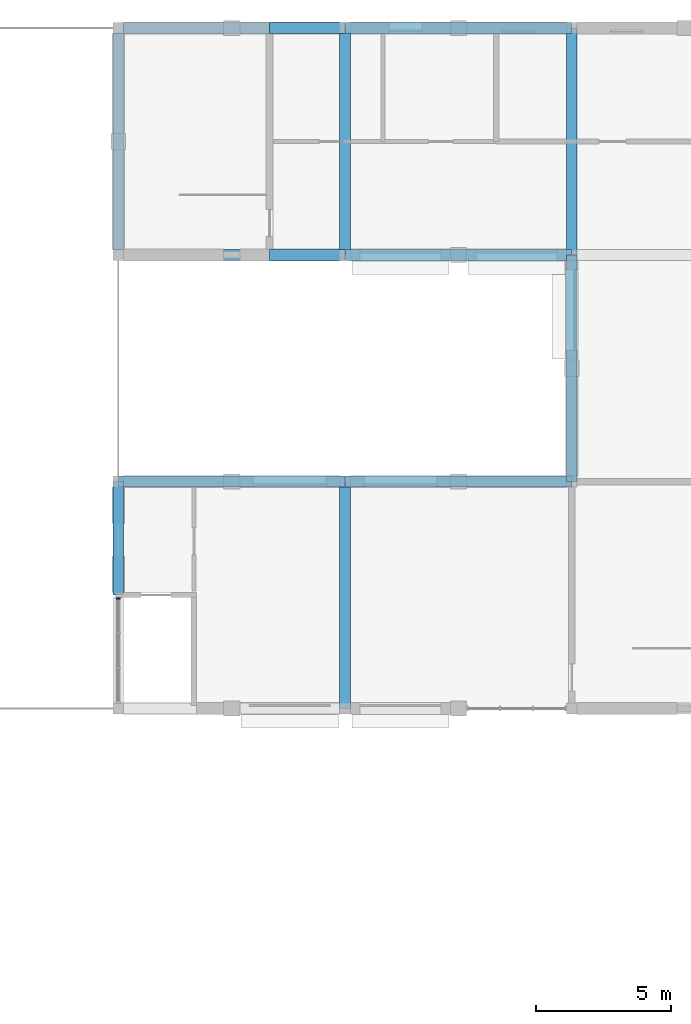
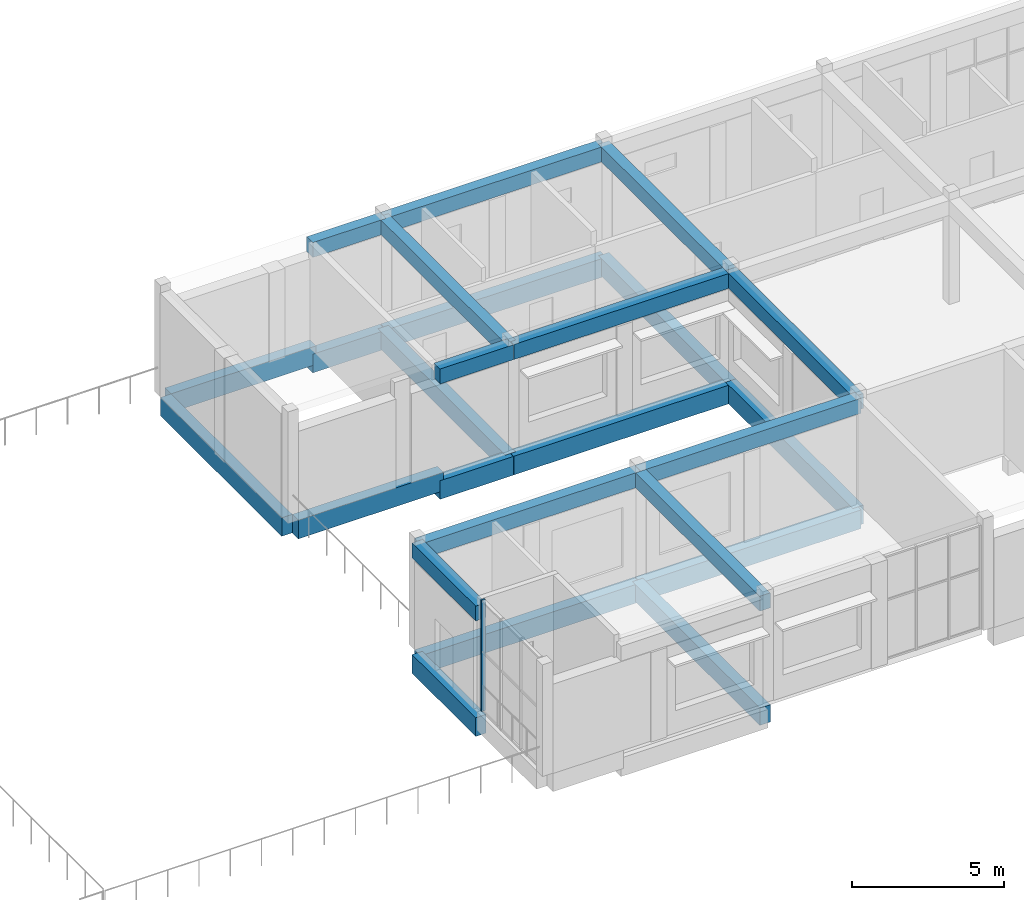
# One storey, part 13 of 30: 25 beams, 1 member, 1 element without a shape of its own.
"""IFC4 building model written with IfcOpenShell, lengths in metres."""

import ifcopenshell
import ifcopenshell.guid

model = None  # the IFC model being written
_history = None  # IfcOwnerHistory: only IFC2X3 demands one
_inside = {}  # id of a spatial element -> (the spatial element, [elements in it])
_under = {}  # id of a project, library or spatial element -> (it, [spatial elements below it])
_declared = {}  # id of a project -> (the project, [libraries it declares])
_typed = {}  # id of a type object -> (the type object, [elements of that type])
_made_of = {}  # id of a material, layer set ... -> (it, [elements and type objects made of it])


def new_model(schema):
    """Start an empty IFC model of exactly this schema.

    Asked for "IFC4X3", IfcOpenShell would pick the latest addendum, in which some entities
    have other attributes; the version numbers below select the first issue.
    IFC2X3 requires an IfcOwnerHistory on every rooted entity: one is made here for all.
    """
    global model, _history
    if schema == "IFC4X3":
        model = ifcopenshell.file(schema_version=(4, 3, 0, 0))
    else:
        model = ifcopenshell.file(schema=schema)
    _inside.clear()
    _under.clear()
    _declared.clear()
    _typed.clear()
    _made_of.clear()
    _history = None
    if model.schema == "IFC2X3":
        org = make("IfcOrganization", Name="unknown")
        user = make(
            "IfcPersonAndOrganization",
            ThePerson=make("IfcPerson", FamilyName="unknown"),
            TheOrganization=org,
        )
        app = make(
            "IfcApplication",
            ApplicationDeveloper=org,
            Version="unknown",
            ApplicationFullName="unknown",
            ApplicationIdentifier="unknown",
        )
        _history = make(
            "IfcOwnerHistory",
            OwningUser=user,
            OwningApplication=app,
            ChangeAction="ADDED",
            CreationDate=0,
        )
    return model


def make(cls, **values):
    """One entity of the class cls with the attributes given. An attribute that is None is left unset."""
    return model.create_entity(
        cls, **{name: value for name, value in values.items() if value is not None}
    )


def rooted(cls, **values):
    """An entity with a GlobalId (a new one), such as an element, a storey or a relation."""
    return make(cls, GlobalId=ifcopenshell.guid.new(), OwnerHistory=_history, **values)


def si_unit(unit_type, name, prefix=None):
    """IfcSIUnit, for example si_unit("LENGTHUNIT", "METRE", prefix="MILLI")."""
    return make("IfcSIUnit", UnitType=unit_type, Prefix=prefix, Name=name)


def assignment(units):
    """IfcUnitAssignment: the units of a project."""
    return None if units is None else make("IfcUnitAssignment", Units=units)


def point(xyz):
    """IfcCartesianPoint."""
    return None if xyz is None else make("IfcCartesianPoint", Coordinates=xyz)


def direction(xyz):
    """IfcDirection."""
    return None if xyz is None else make("IfcDirection", DirectionRatios=xyz)


def frame(location, z_axis=None, x_axis=None):
    """IfcAxis2Placement3D, a coordinate frame: its origin and axes. An axis left out is left unset."""
    return make(
        "IfcAxis2Placement3D",
        Location=point(location),
        Axis=direction(z_axis),
        RefDirection=direction(x_axis),
    )


def frame_2d(location, x_axis=None):
    """IfcAxis2Placement2D, a coordinate frame in the plane: its origin and x axis."""
    return make(
        "IfcAxis2Placement2D", Location=point(location), RefDirection=direction(x_axis)
    )


def origin():
    """The frame at (0, 0, 0) with its axes left unset."""
    return frame((0.0, 0.0, 0.0))


def origin_2d():
    """The frame at (0, 0) in the plane with its x axis left unset."""
    return frame_2d((0.0, 0.0))


def place(relative_to, where):
    """IfcLocalPlacement: puts the frame where relative to a parent placement (None: the world)."""
    return make(
        "IfcLocalPlacement", PlacementRelTo=relative_to, RelativePlacement=where
    )


def context(
    kind, dimensions, precision=None, world=None, true_north=None, identifier=None
):
    """IfcGeometricRepresentationContext, for example the 3D "Model" context."""
    return make(
        "IfcGeometricRepresentationContext",
        ContextIdentifier=identifier,
        ContextType=kind,
        CoordinateSpaceDimension=dimensions,
        Precision=precision,
        WorldCoordinateSystem=world,
        TrueNorth=true_north,
    )


def subcontext(parent, identifier, kind, view, scale=None):
    """IfcGeometricRepresentationSubContext, for example "Body" below "Model"."""
    return make(
        "IfcGeometricRepresentationSubContext",
        ContextIdentifier=identifier,
        ContextType=kind,
        ParentContext=parent,
        TargetScale=scale,
        TargetView=view,
    )


def project(units=None, contexts=None):
    """IfcProject with its units and contexts."""
    return rooted(
        "IfcProject",
        Name="project",
        RepresentationContexts=contexts,
        UnitsInContext=assignment(units),
    )


def spatial(cls, under=None, at=None, **own):
    """A site, building, storey or space (cls), placed at a placement, below another one or the project."""
    s = rooted(cls, ObjectPlacement=at, **own)
    if under is not None:
        _under.setdefault(under.id(), (under, []))[1].append(s)
    return s


def profile(cls, at=None, kind="AREA", **sizes):
    """A parametric profile (cls). Its sizes go by their IFC names, for example OverallWidth=200.0."""
    return make(cls, ProfileType=kind, Position=at, **sizes)


def rectangle(**sizes):
    """IfcRectangleProfileDef."""
    return profile("IfcRectangleProfileDef", **sizes)


def extrude(swept, where, along, depth):
    """IfcExtrudedAreaSolid: the profile swept, set in the frame where, extruded along a direction by depth."""
    return make(
        "IfcExtrudedAreaSolid",
        SweptArea=swept,
        Position=where,
        ExtrudedDirection=direction(along),
        Depth=depth,
    )


def shape(context_of_items, identifier, shape_type, items):
    """IfcShapeRepresentation: the items that make up one representation, for example the "Body"."""
    return make(
        "IfcShapeRepresentation",
        ContextOfItems=context_of_items,
        RepresentationIdentifier=identifier,
        RepresentationType=shape_type,
        Items=items,
    )


def material(Name=None, Category=None):
    """IfcMaterial."""
    return make("IfcMaterial", Name=Name, Category=Category)


def material_profile(
    of_material, cross_section, Name=None, Category=None, Priority=None
):
    """IfcMaterialProfile: a cross section and its material."""
    return make(
        "IfcMaterialProfile",
        Name=Name,
        Material=of_material,
        Profile=cross_section,
        Priority=Priority,
        Category=Category,
    )


def profile_set(profiles, Name=None, composite=None):
    """IfcMaterialProfileSet."""
    return make(
        "IfcMaterialProfileSet",
        Name=Name,
        MaterialProfiles=profiles,
        CompositeProfile=composite,
    )


def made_of(thing, what):
    """Note that an element or type object is made of a material, layer set ...; save() writes the relation."""
    if what is not None:
        _made_of.setdefault(what.id(), (what, []))[1].append(thing)
    return thing


def type_object(cls, material=None, **own):
    """A type object (cls), such as IfcWallType, which elements share."""
    return made_of(rooted(cls, **own), material)


def element(
    cls,
    number,
    at=None,
    inside=None,
    cuts=None,
    type_object=None,
    material=None,
    context=None,
    identifier="Body",
    shape_type=None,
    held_by="IfcProductDefinitionShape",
    body=None,
    shapes=None,
    **own,
):
    """One element of the class cls, such as IfcWall. Its Tag is "e" and its number.

    at: its placement. inside: the storey or other place that contains it. cuts: it is an
    opening in that element (IfcRelVoidsElement). A single representation is given by context,
    identifier, shape_type and body (its items); several are given by shapes. held_by: the class
    of the entity that holds the representations. save() writes the other relations.
    """
    e = rooted(cls, Tag="e%d" % number, ObjectPlacement=at, **own)
    if body is not None:
        shapes = [shape(context, identifier, shape_type, body)]
    if shapes is not None:
        e.Representation = make(held_by, Representations=shapes)
    if inside is not None:
        _inside.setdefault(inside.id(), (inside, []))[1].append(e)
    if cuts is not None:
        rooted(
            "IfcRelVoidsElement", RelatingBuildingElement=cuts, RelatedOpeningElement=e
        )
    if type_object is not None:
        _typed.setdefault(type_object.id(), (type_object, []))[1].append(e)
    return made_of(e, material)


def aggregate(whole, parts):
    """IfcRelAggregates: a whole, such as a stair, and the parts it consists of."""
    return rooted("IfcRelAggregates", RelatingObject=whole, RelatedObjects=parts)


def save(model, path):
    """Write the relations noted so far, then the file.

    IfcRelAggregates (storeys below a building ...), IfcRelContainedInSpatialStructure (elements
    in a storey), IfcRelDefinesByType, IfcRelAssociatesMaterial and IfcRelDeclares: one each for
    every whole, place, type object, material and project.
    """
    for whole, parts in _under.values():
        aggregate(whole, parts)
    for where, things in _inside.values():
        rooted(
            "IfcRelContainedInSpatialStructure",
            RelatedElements=things,
            RelatingStructure=where,
        )
    for kind, things in _typed.values():
        rooted("IfcRelDefinesByType", RelatedObjects=things, RelatingType=kind)
    for what, things in _made_of.values():
        rooted("IfcRelAssociatesMaterial", RelatedObjects=things, RelatingMaterial=what)
    for by, libraries in _declared.values():
        rooted("IfcRelDeclares", RelatingContext=by, RelatedDefinitions=libraries)
    model.write(path)


model = new_model("IFC4")

# Units and contexts
model_context = context("Model", 3, precision=1e-05, world=origin(), true_north=direction((0.0, 1.0)))
body_context = subcontext(model_context, "Body", "Model", "MODEL_VIEW")
ifc_project = project(units=[si_unit("LENGTHUNIT", "METRE"), si_unit("AREAUNIT", "SQUARE_METRE"), si_unit("VOLUMEUNIT", "CUBIC_METRE"), si_unit("PLANEANGLEUNIT", "RADIAN"), si_unit("MASSUNIT", "GRAM", prefix="KILO")], contexts=[model_context])

# Site, building, storey
site_placement = place(None, origin())
site = spatial("IfcSite", under=ifc_project, at=site_placement, CompositionType="ELEMENT")
building_placement = place(site_placement, origin())
building = spatial("IfcBuilding", under=site, at=building_placement, Name="Fescue Hill Polytechnic", CompositionType="ELEMENT")
storey_placement = place(building_placement, frame((0.0, 0.0, 22.5)))
storey = spatial("IfcBuildingStorey", under=building, at=storey_placement, Name="L05", CompositionType="ELEMENT", Elevation=22.5)

# Beams
ifc_material_1 = material(Name="Concrete 35 MPa", Category="concrete")
ifc_material_profile_1 = material_profile(ifc_material_1, rectangle(XDim=0.39990234375, YDim=0.60009765625, at=origin_2d()), Name="RC 400x600")
ifc_profile_set_1 = profile_set([ifc_material_profile_1], Name="Concrete 35 MPa")
beam_type_1 = type_object("IfcBeamType", Name="Beam RC 400x600", PredefinedType="BEAM", material=ifc_profile_set_1)
beam_1_placement = place(storey_placement, frame((75.60009765625, 113.39990234375, 3.89990234375), z_axis=(0.0, 1.0, 0.0), x_axis=(-1.0, 0.0, 0.0)))
element("IfcBeam", 1, at=beam_1_placement, inside=storey, type_object=beam_type_1, Name="BR-L05-0001", PredefinedType="BEAM", context=body_context, shape_type="SweptSolid", body=[
    extrude(rectangle(XDim=0.39990234375, YDim=0.60009765625, at=origin_2d()), origin(), (0.0, 0.0, 1.0), 4.2001953125),
])
beam_2_placement = place(storey_placement, frame((75.610107421875, 117.60009765625, 3.89990234375), z_axis=(1.0, 0.0, 0.0), x_axis=(0.0, 1.0, 0.0)))
element("IfcBeam", 2, at=beam_2_placement, inside=storey, type_object=beam_type_1, Name="BR-L05-0002", PredefinedType="BEAM", context=body_context, shape_type="SweptSolid", body=[
    extrude(rectangle(XDim=0.39990234375, YDim=0.60009765625, at=origin_2d()), origin(), (0.0, 0.0, 1.0), 8.3798828125),
])
for number, where, z_axis, x_axis, name in (
    (3, (81.199951171875, 126.0, 3.89990234375), (1.0, 0.0, 0.0), (0.0, 1.0, 0.0), "BR-L05-0004"),
    (4, (81.199951171875, 134.39990234375, 3.89990234375), (1.0, 0.0, 0.0), (0.0, 1.0, 0.0), "BR-L05-0005"),
):
    element("IfcBeam", number, at=place(storey_placement, frame(where, z_axis=z_axis, x_axis=x_axis)), inside=storey, type_object=beam_type_1, Name=name, PredefinedType="BEAM", context=body_context, shape_type="SweptSolid", body=[
        extrude(rectangle(XDim=0.39990234375, YDim=0.60009765625, at=origin_2d()), origin(), (0.0, 0.0, 1.0), 2.7900390625),
    ])
beam_3_placement = place(storey_placement, frame((84.0, 109.199951171875, 3.89990234375), z_axis=(0.0, 1.0, 0.0), x_axis=(-1.0, 0.0, 0.0)))
element("IfcBeam", 5, at=beam_3_placement, inside=storey, type_object=beam_type_1, Name="BR-L05-0006", PredefinedType="BEAM", context=body_context, shape_type="SweptSolid", body=[
    extrude(rectangle(XDim=0.39990234375, YDim=0.60009765625, at=origin_2d()), origin(), (0.0, 0.0, 1.0), 8.400146484375),
])
beam_4_placement = place(storey_placement, frame((84.0, 126.0, 3.89990234375), z_axis=(0.0, 1.0, 0.0), x_axis=(-1.0, 0.0, 0.0)))
element("IfcBeam", 6, at=beam_4_placement, inside=storey, type_object=beam_type_1, Name="BR-L05-0007", PredefinedType="BEAM", context=body_context, shape_type="SweptSolid", body=[
    extrude(rectangle(XDim=0.39990234375, YDim=0.60009765625, at=origin_2d()), origin(), (0.0, 0.0, 1.0), 8.39990234375),
])
beam_5_placement = place(storey_placement, frame((84.010009765625, 117.60009765625, 3.89990234375), z_axis=(1.0, 0.0, 0.0), x_axis=(0.0, 1.0, 0.0)))
element("IfcBeam", 7, at=beam_5_placement, inside=storey, type_object=beam_type_1, Name="BR-L05-0008", PredefinedType="BEAM", context=body_context, shape_type="SweptSolid", body=[
    extrude(rectangle(XDim=0.39990234375, YDim=0.60009765625, at=origin_2d()), origin(), (0.0, 0.0, 1.0), 8.389892578125),
])
for number, where, z_axis, x_axis, name in (
    (8, (84.010009765625, 126.0, 3.89990234375), (1.0, 0.0, 0.0), (0.0, 1.0, 0.0), "BR-L05-0009"),
    (9, (84.010009765625, 134.39990234375, 3.89990234375), (1.0, 0.0, 0.0), (0.0, 1.0, 0.0), "BR-L05-0010"),
):
    element("IfcBeam", number, at=place(storey_placement, frame(where, z_axis=z_axis, x_axis=x_axis)), inside=storey, type_object=beam_type_1, Name=name, PredefinedType="BEAM", context=body_context, shape_type="SweptSolid", body=[
        extrude(rectangle(XDim=0.39990234375, YDim=0.60009765625, at=origin_2d()), origin(), (0.0, 0.0, 1.0), 8.3798828125),
    ])
for number, where, z_axis, x_axis, name in (
    (10, (92.39990234375, 117.60009765625, 3.89990234375), (0.0, 1.0, 0.0), (-1.0, 0.0, 0.0), "BR-L05-0011"),
    (11, (92.39990234375, 126.0, 3.89990234375), (0.0, 1.0, 0.0), (-1.0, 0.0, 0.0), "BR-L05-0012"),
):
    element("IfcBeam", number, at=place(storey_placement, frame(where, z_axis=z_axis, x_axis=x_axis)), inside=storey, type_object=beam_type_1, Name=name, PredefinedType="BEAM", context=body_context, shape_type="SweptSolid", body=[
        extrude(rectangle(XDim=0.39990234375, YDim=0.60009765625, at=origin_2d()), origin(), (0.0, 0.0, 1.0), 8.39990234375),
    ])
ifc_material_profile_2 = material_profile(ifc_material_1, rectangle(XDim=0.39990234375, YDim=0.699951171875, at=origin_2d()), Name="RC 400x700")
ifc_profile_set_2 = profile_set([ifc_material_profile_2], Name="Concrete 35 MPa")
beam_type_2 = type_object("IfcBeamType", Name="Beam RC 400x700", PredefinedType="BEAM", material=ifc_profile_set_2)
beam_6_placement = place(storey_placement, frame((84.0, 109.199951171875, -0.64990234375), z_axis=(0.0, 1.0, 0.0), x_axis=(-1.0, 0.0, 0.0)))
element("IfcBeam", 12, at=beam_6_placement, inside=storey, type_object=beam_type_2, Name="BM-L05-0082", PredefinedType="BEAM", context=body_context, shape_type="SweptSolid", body=[
    extrude(rectangle(XDim=0.39990234375, YDim=0.699951171875, at=origin_2d()), origin(), (0.0, 0.0, 1.0), 8.400146484375),
])
for number, where, z_axis, x_axis, name in (
    (13, (84.0, 126.0, -0.64990234375), (0.0, 1.0, 0.0), (-1.0, 0.0, 0.0), "BM-L05-0083"),
    (14, (92.39990234375, 126.0, -0.64990234375), (0.0, 1.0, 0.0), (-1.0, 0.0, 0.0), "BM-L05-0088"),
):
    element("IfcBeam", number, at=place(storey_placement, frame(where, z_axis=z_axis, x_axis=x_axis)), inside=storey, type_object=beam_type_2, Name=name, PredefinedType="BEAM", context=body_context, shape_type="SweptSolid", body=[
        extrude(rectangle(XDim=0.39990234375, YDim=0.699951171875, at=origin_2d()), origin(), (0.0, 0.0, 1.0), 8.39990234375),
    ])
ifc_material_profile_3 = material_profile(ifc_material_1, rectangle(XDim=0.39990234375, YDim=0.75, at=origin_2d()), Name="RC 400x750")
ifc_profile_set_3 = profile_set([ifc_material_profile_3], Name="Concrete 35 MPa")
beam_type_3 = type_object("IfcBeamType", Name="Beam RC 400x750", PredefinedType="BEAM", material=ifc_profile_set_3)
beam_7_placement = place(storey_placement, frame((75.60009765625, 113.39990234375, -0.675048828125), z_axis=(0.0, 1.0, 0.0), x_axis=(-1.0, 0.0, 0.0)))
element("IfcBeam", 15, at=beam_7_placement, inside=storey, type_object=beam_type_3, Name="BM-L05-0077", PredefinedType="BEAM", context=body_context, shape_type="SweptSolid", body=[
    extrude(rectangle(XDim=0.39990234375, YDim=0.75, at=origin_2d()), origin(), (0.0, 0.0, 1.0), 4.2001953125),
])
beam_8_placement = place(storey_placement, frame((75.610107421875, 117.60009765625, -0.675048828125), z_axis=(1.0, 0.0, 0.0), x_axis=(0.0, 1.0, 0.0)))
element("IfcBeam", 16, at=beam_8_placement, inside=storey, type_object=beam_type_3, Name="BM-L05-0078", PredefinedType="BEAM", context=body_context, shape_type="SweptSolid", body=[
    extrude(rectangle(XDim=0.39990234375, YDim=0.75, at=origin_2d()), origin(), (0.0, 0.0, 1.0), 8.3798828125),
])
for number, where, z_axis, x_axis, name in (
    (17, (81.199951171875, 126.0, -0.675048828125), (1.0, 0.0, 0.0), (0.0, 1.0, 0.0), "BM-L05-0080"),
    (18, (81.199951171875, 134.39990234375, -0.675048828125), (1.0, 0.0, 0.0), (0.0, 1.0, 0.0), "BM-L05-0081"),
):
    element("IfcBeam", number, at=place(storey_placement, frame(where, z_axis=z_axis, x_axis=x_axis)), inside=storey, type_object=beam_type_3, Name=name, PredefinedType="BEAM", context=body_context, shape_type="SweptSolid", body=[
        extrude(rectangle(XDim=0.39990234375, YDim=0.75, at=origin_2d()), origin(), (0.0, 0.0, 1.0), 2.7900390625),
    ])
beam_9_placement = place(storey_placement, frame((84.010009765625, 117.60009765625, -0.675048828125), z_axis=(1.0, 0.0, 0.0), x_axis=(0.0, 1.0, 0.0)))
element("IfcBeam", 19, at=beam_9_placement, inside=storey, type_object=beam_type_3, Name="BM-L05-0084", PredefinedType="BEAM", context=body_context, shape_type="SweptSolid", body=[
    extrude(rectangle(XDim=0.39990234375, YDim=0.75, at=origin_2d()), origin(), (0.0, 0.0, 1.0), 8.389892578125),
])
for number, where, z_axis, x_axis, name in (
    (20, (84.010009765625, 126.0, -0.675048828125), (1.0, 0.0, 0.0), (0.0, 1.0, 0.0), "BM-L05-0085"),
    (21, (84.010009765625, 134.39990234375, -0.675048828125), (1.0, 0.0, 0.0), (0.0, 1.0, 0.0), "BM-L05-0086"),
):
    element("IfcBeam", number, at=place(storey_placement, frame(where, z_axis=z_axis, x_axis=x_axis)), inside=storey, type_object=beam_type_3, Name=name, PredefinedType="BEAM", context=body_context, shape_type="SweptSolid", body=[
        extrude(rectangle(XDim=0.39990234375, YDim=0.75, at=origin_2d()), origin(), (0.0, 0.0, 1.0), 8.3798828125),
    ])
beam_10_placement = place(storey_placement, frame((92.39990234375, 117.60009765625, -0.675048828125), z_axis=(0.0, 1.0, 0.0), x_axis=(-1.0, 0.0, 0.0)))
element("IfcBeam", 22, at=beam_10_placement, inside=storey, type_object=beam_type_3, Name="BM-L05-0087", PredefinedType="BEAM", context=body_context, shape_type="SweptSolid", body=[
    extrude(rectangle(XDim=0.39990234375, YDim=0.75, at=origin_2d()), origin(), (0.0, 0.0, 1.0), 8.39990234375),
])
beam_11_placement = place(storey_placement, frame((75.60009765625, 126.199951171875, -0.375), z_axis=(0.0, 1.0, 0.0), x_axis=(-1.0, 0.0, 0.0)))
element("IfcBeam", 23, at=beam_11_placement, inside=storey, type_object=beam_type_3, Name="BM-L05-0113", PredefinedType="BEAM", context=body_context, shape_type="SweptSolid", body=[
    extrude(rectangle(XDim=0.39990234375, YDim=0.75, at=origin_2d()), origin(), (0.0, 0.0, 1.0), 8.0),
])
for number, where, z_axis, x_axis, name in (
    (24, (75.800048828125, 126.0, -0.375), (1.0, 0.0, 0.0), (0.0, 1.0, 0.0), "BM-L05-0115"),
    (25, (75.800048828125, 134.39990234375, -0.375), (1.0, 0.0, 0.0), (0.0, 1.0, 0.0), "BM-L05-0116"),
):
    element("IfcBeam", number, at=place(storey_placement, frame(where, z_axis=z_axis, x_axis=x_axis)), inside=storey, type_object=beam_type_3, Name=name, PredefinedType="BEAM", context=body_context, shape_type="SweptSolid", body=[
        extrude(rectangle(XDim=0.39990234375, YDim=0.75, at=origin_2d()), origin(), (0.0, 0.0, 1.0), 5.52490234375),
    ])

# Curtain wall, member
ifc_material_2 = material(Name="Glass", Category="glass")
curtain_wall_type = type_object("IfcCurtainWallType", Name="Curtain wall structural glazing", PredefinedType="NOTDEFINED", material=ifc_material_2)
curtain_wall_placement = place(storey_placement, origin())
curtain_wall = element("IfcCurtainWall", 26, at=curtain_wall_placement, inside=storey, type_object=curtain_wall_type, Name="CW-L05-V4b-X3", PredefinedType="NOTDEFINED")
ifc_material_3 = material(Name="Powder-coated aluminium", Category="aluminium")
ifc_material_profile_4 = material_profile(ifc_material_3, rectangle(XDim=0.159912109375, YDim=0.06005859375, at=origin_2d()), Name="Mullion aluminium 60x160")
ifc_profile_set_4 = profile_set([ifc_material_profile_4], Name="Powder-coated aluminium")
member_type = type_object("IfcMemberType", Name="Mullion aluminium 60x160", PredefinedType="MULLION", material=ifc_profile_set_4)
member_placement = place(storey_placement, frame((75.60009765625, 113.26904296875, 0.0), z_axis=(0.0, 0.0, 1.0), x_axis=(1.0, 0.0, 0.0)))
member = element("IfcMember", 27, at=member_placement, type_object=member_type, Name="CW179 mullion 1", PredefinedType="MULLION", context=body_context, shape_type="SweptSolid", body=[
    extrude(rectangle(XDim=0.159912109375, YDim=0.06005859375, at=origin_2d()), origin(), (0.0, 0.0, 1.0), 4.47998046875),
])
aggregate(curtain_wall, [member])

save(model, "model.ifc")
